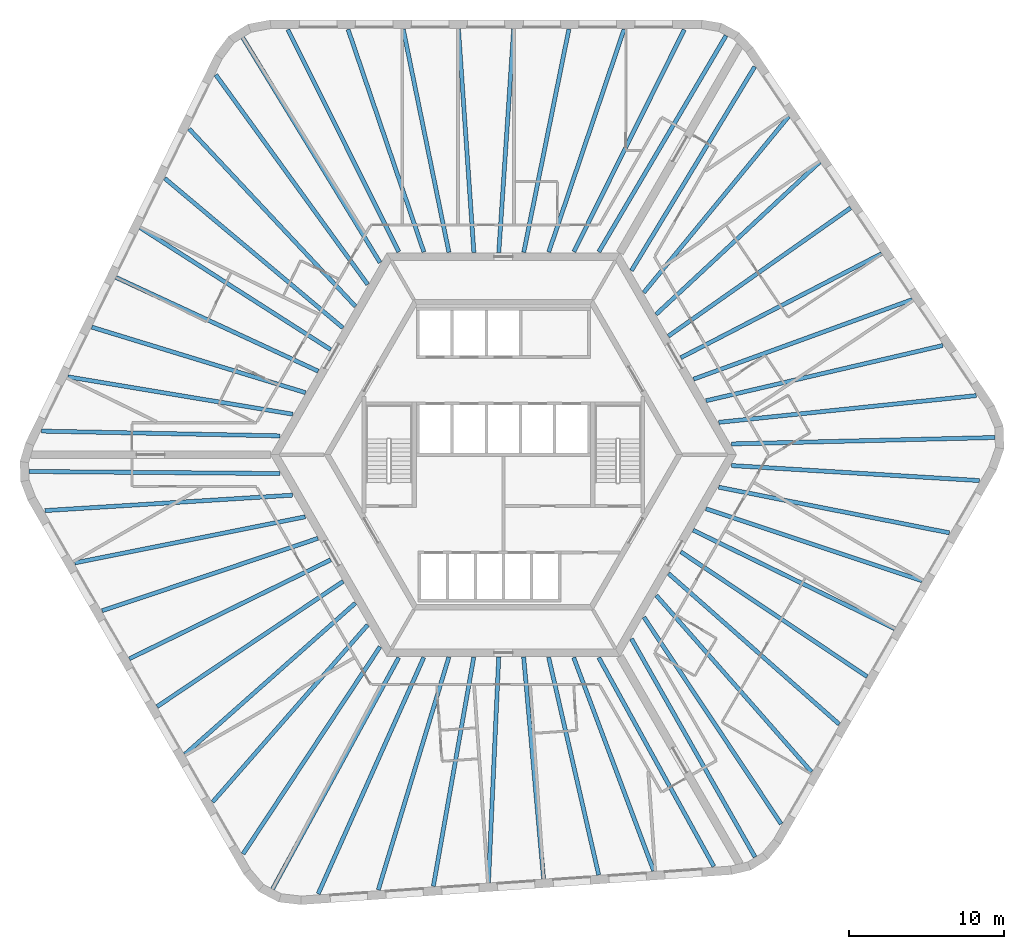
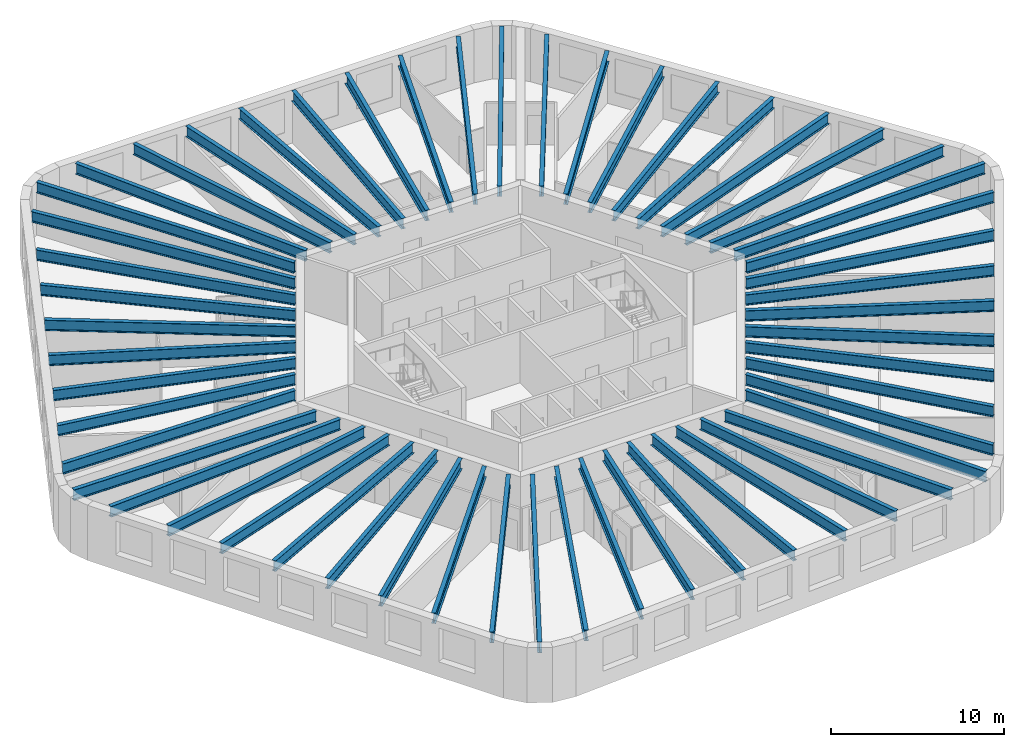
# One storey, part 1 of 9: 54 beams.
"""IFC4 building model written with IfcOpenShell, lengths in metres."""

from ifc_helpers import new_model, si_unit, direction, frame, origin, origin_2d, place, context, subcontext, project, spatial, i_section, extrude, material, material_profile, profile_set, type_object, element, save


model = new_model("IFC4")

# Units and contexts
model_context = context("Model", 3, precision=1e-05, world=origin(), true_north=direction((0.0, 1.0)))
body_context = subcontext(model_context, "Body", "Model", "MODEL_VIEW")
ifc_project = project(units=[si_unit("LENGTHUNIT", "METRE"), si_unit("AREAUNIT", "SQUARE_METRE"), si_unit("VOLUMEUNIT", "CUBIC_METRE"), si_unit("PLANEANGLEUNIT", "RADIAN"), si_unit("MASSUNIT", "GRAM", prefix="KILO")], contexts=[model_context])

# Site, building, storey
site_placement = place(None, origin())
site = spatial("IfcSite", under=ifc_project, at=site_placement, CompositionType="ELEMENT")
building_placement = place(site_placement, origin())
building = spatial("IfcBuilding", under=site, at=building_placement, Name="Tarnside Tower", CompositionType="ELEMENT")
storey_placement = place(building_placement, frame((0.0, 0.0, 222.89990234375)))
storey = spatial("IfcBuildingStorey", under=building, at=storey_placement, Name="L53", CompositionType="ELEMENT", Elevation=222.89990234375)

# Beams
ifc_material = material(Name="Steel S355", Category="steel")
ifc_material_profile_1 = material_profile(ifc_material, i_section(OverallWidth=0.26513671875, OverallDepth=0.75390625, WebThickness=0.0126953125, FlangeThickness=0.017578125, FilletRadius=0.0166015625, at=origin_2d()), Name="UB 762x267x147")
ifc_profile_set_1 = profile_set([ifc_material_profile_1], Name="Steel S355")
beam_type_1 = type_object("IfcBeamType", Name="Floor beam UB 762x267x147", PredefinedType="BEAM", material=ifc_profile_set_1)
beam_1_placement = place(storey_placement, frame((7.77001953125, 27.393310546875, 3.373046875), z_axis=(-0.320362579778, -0.947295000239, 0.0), x_axis=(0.947295000239, -0.320362579778, 0.0)))
element("IfcBeam", 1, at=beam_1_placement, inside=storey, type_object=beam_type_1, Name="Floor beam F1.02", PredefinedType="BEAM", context=body_context, shape_type="SweptSolid", body=[
    extrude(i_section(OverallWidth=0.26513671875, OverallDepth=0.75390625, WebThickness=0.0126953125, FlangeThickness=0.017578125, FilletRadius=0.0166015625, at=origin_2d()), origin(), (0.0, 0.0, 1.0), 15.134033203125),
])
beam_2_placement = place(storey_placement, frame((4.218505859375, 27.410888671875, 3.373046875), z_axis=(-0.19841777413, -0.980117537293, 0.0), x_axis=(0.980117537293, -0.19841777413, 0.0)))
element("IfcBeam", 2, at=beam_2_placement, inside=storey, type_object=beam_type_1, Name="Floor beam F1.03", PredefinedType="BEAM", context=body_context, shape_type="SweptSolid", body=[
    extrude(i_section(OverallWidth=0.26513671875, OverallDepth=0.75390625, WebThickness=0.0126953125, FlangeThickness=0.017578125, FilletRadius=0.0166015625, at=origin_2d()), origin(), (0.0, 0.0, 1.0), 14.6630859375),
])
beam_3_placement = place(storey_placement, frame((0.66259765625, 27.429931640625, 3.373046875), z_axis=(-0.066554914868, -0.997782763585, 0.0), x_axis=(0.997782763585, -0.066554914868, 0.0)))
element("IfcBeam", 3, at=beam_3_placement, inside=storey, type_object=beam_type_1, Name="Floor beam F1.04", PredefinedType="BEAM", context=body_context, shape_type="SweptSolid", body=[
    extrude(i_section(OverallWidth=0.26513671875, OverallDepth=0.75390625, WebThickness=0.0126953125, FlangeThickness=0.017578125, FilletRadius=0.0166015625, at=origin_2d()), origin(), (0.0, 0.0, 1.0), 14.44189453125),
])
beam_4_placement = place(storey_placement, frame((-2.8974609375, 27.429931640625, 3.373046875), z_axis=(0.068876921658, -0.997625164911, 0.0), x_axis=(0.997625164911, 0.068876921658, 0.0)))
element("IfcBeam", 4, at=beam_4_placement, inside=storey, type_object=beam_type_1, Name="Floor beam F1.05", PredefinedType="BEAM", context=body_context, shape_type="SweptSolid", body=[
    extrude(i_section(OverallWidth=0.26513671875, OverallDepth=0.75390625, WebThickness=0.0126953125, FlangeThickness=0.017578125, FilletRadius=0.0166015625, at=origin_2d()), origin(), (0.0, 0.0, 1.0), 14.4443359375),
])
beam_5_placement = place(storey_placement, frame((-6.45361328125, 27.410888671875, 3.373046875), z_axis=(0.200623497398, -0.979668419564, 0.0), x_axis=(0.979668419564, 0.200623497398, 0.0)))
element("IfcBeam", 5, at=beam_5_placement, inside=storey, type_object=beam_type_1, Name="Floor beam F1.06", PredefinedType="BEAM", context=body_context, shape_type="SweptSolid", body=[
    extrude(i_section(OverallWidth=0.26513671875, OverallDepth=0.75390625, WebThickness=0.0126953125, FlangeThickness=0.017578125, FilletRadius=0.0166015625, at=origin_2d()), origin(), (0.0, 0.0, 1.0), 14.669921875),
])
beam_6_placement = place(storey_placement, frame((-10.0048828125, 27.393310546875, 3.373046875), z_axis=(0.322343712034, -0.946622697442, 0.0), x_axis=(0.946622697442, 0.322343712034, 0.0)))
element("IfcBeam", 6, at=beam_6_placement, inside=storey, type_object=beam_type_1, Name="Floor beam F1.07", PredefinedType="BEAM", context=body_context, shape_type="SweptSolid", body=[
    extrude(i_section(OverallWidth=0.26513671875, OverallDepth=0.75390625, WebThickness=0.0126953125, FlangeThickness=0.017578125, FilletRadius=0.0166015625, at=origin_2d()), origin(), (0.0, 0.0, 1.0), 15.144775390625),
])
beam_7_placement = place(storey_placement, frame((-20.241455078125, 20.9892578125, 3.373046875), z_axis=(0.683752330283, -0.729714156936, 0.0), x_axis=(0.729714156936, 0.683752330283, 0.0)))
element("IfcBeam", 7, at=beam_7_placement, inside=storey, type_object=beam_type_1, Name="Floor beam F2.02", PredefinedType="BEAM", context=body_context, shape_type="SweptSolid", body=[
    extrude(i_section(OverallWidth=0.26513671875, OverallDepth=0.75390625, WebThickness=0.0126953125, FlangeThickness=0.017578125, FilletRadius=0.0166015625, at=origin_2d()), origin(), (0.0, 0.0, 1.0), 15.6591796875),
])
beam_8_placement = place(storey_placement, frame((-21.81396484375, 17.80419921875, 3.373046875), z_axis=(0.765948461073, -0.642901979294, 0.0), x_axis=(0.642901979294, 0.765948461073, 0.0)))
element("IfcBeam", 8, at=beam_8_placement, inside=storey, type_object=beam_type_1, Name="Floor beam F2.03", PredefinedType="BEAM", context=body_context, shape_type="SweptSolid", body=[
    extrude(i_section(OverallWidth=0.26513671875, OverallDepth=0.75390625, WebThickness=0.0126953125, FlangeThickness=0.017578125, FilletRadius=0.0166015625, at=origin_2d()), origin(), (0.0, 0.0, 1.0), 14.982177734375),
])
beam_9_placement = place(storey_placement, frame((-23.389892578125, 14.616455078125, 3.373046875), z_axis=(0.842378275633, -0.538886667808, 0.0), x_axis=(0.538886667808, 0.842378275633, 0.0)))
element("IfcBeam", 9, at=beam_9_placement, inside=storey, type_object=beam_type_1, Name="Floor beam F2.04", PredefinedType="BEAM", context=body_context, shape_type="SweptSolid", body=[
    extrude(i_section(OverallWidth=0.26513671875, OverallDepth=0.75390625, WebThickness=0.0126953125, FlangeThickness=0.017578125, FilletRadius=0.0166015625, at=origin_2d()), origin(), (0.0, 0.0, 1.0), 14.5595703125),
])
beam_10_placement = place(storey_placement, frame((-24.9501953125, 11.416748046875, 3.373046875), z_axis=(0.907310131748, -0.420462037321, 0.0), x_axis=(0.420462037321, 0.907310131748, 0.0)))
element("IfcBeam", 10, at=beam_10_placement, inside=storey, type_object=beam_type_1, Name="Floor beam F2.05", PredefinedType="BEAM", context=body_context, shape_type="SweptSolid", body=[
    extrude(i_section(OverallWidth=0.26513671875, OverallDepth=0.75390625, WebThickness=0.0126953125, FlangeThickness=0.017578125, FilletRadius=0.0166015625, at=origin_2d()), origin(), (0.0, 0.0, 1.0), 14.353515625),
])
beam_11_placement = place(storey_placement, frame((-26.510986328125, 8.2177734375, 3.373046875), z_axis=(0.956073348261, -0.293127536654, 0.0), x_axis=(0.293127536654, 0.956073348261, 0.0)))
element("IfcBeam", 11, at=beam_11_placement, inside=storey, type_object=beam_type_1, Name="Floor beam F2.06", PredefinedType="BEAM", context=body_context, shape_type="SweptSolid", body=[
    extrude(i_section(OverallWidth=0.26513671875, OverallDepth=0.75390625, WebThickness=0.0126953125, FlangeThickness=0.017578125, FilletRadius=0.0166015625, at=origin_2d()), origin(), (0.0, 0.0, 1.0), 14.3955078125),
])
beam_12_placement = place(storey_placement, frame((-28.0517578125, 5.015869140625, 3.373046875), z_axis=(0.986476498304, -0.163902770858, 0.0), x_axis=(0.163902770858, 0.986476498304, 0.0)))
element("IfcBeam", 12, at=beam_12_placement, inside=storey, type_object=beam_type_1, Name="Floor beam F2.07", PredefinedType="BEAM", context=body_context, shape_type="SweptSolid", body=[
    extrude(i_section(OverallWidth=0.26513671875, OverallDepth=0.75390625, WebThickness=0.0126953125, FlangeThickness=0.017578125, FilletRadius=0.0166015625, at=origin_2d()), origin(), (0.0, 0.0, 1.0), 14.680908203125),
])
beam_13_placement = place(storey_placement, frame((-29.73828125, 1.521484375, 3.373046875), z_axis=(0.999800142641, -0.019991867701, 0.0), x_axis=(0.019991867701, 0.999800142641, 0.0)))
element("IfcBeam", 13, at=beam_13_placement, inside=storey, type_object=beam_type_1, Name="Floor beam F2.08", PredefinedType="BEAM", context=body_context, shape_type="SweptSolid", body=[
    extrude(i_section(OverallWidth=0.26513671875, OverallDepth=0.75390625, WebThickness=0.0126953125, FlangeThickness=0.017578125, FilletRadius=0.0166015625, at=origin_2d()), origin(), (0.0, 0.0, 1.0), 15.3505859375),
])
beam_14_placement = place(storey_placement, frame((-27.608154296875, -6.967529296875, 3.373046875), z_axis=(0.980564540422, 0.196196794232, 0.0), x_axis=(-0.196196794232, 0.980564540422, 0.0)))
element("IfcBeam", 14, at=beam_14_placement, inside=storey, type_object=beam_type_1, Name="Floor beam F3.02", PredefinedType="BEAM", context=body_context, shape_type="SweptSolid", body=[
    extrude(i_section(OverallWidth=0.26513671875, OverallDepth=0.75390625, WebThickness=0.0126953125, FlangeThickness=0.017578125, FilletRadius=0.0166015625, at=origin_2d()), origin(), (0.0, 0.0, 1.0), 15.134033203125),
])
beam_15_placement = place(storey_placement, frame((-25.84765625, -10.052001953125, 3.373046875), z_axis=(0.948011835322, 0.31823507049, 0.0), x_axis=(-0.31823507049, 0.948011835322, 0.0)))
element("IfcBeam", 15, at=beam_15_placement, inside=storey, type_object=beam_type_1, Name="Floor beam F3.03", PredefinedType="BEAM", context=body_context, shape_type="SweptSolid", body=[
    extrude(i_section(OverallWidth=0.26513671875, OverallDepth=0.75390625, WebThickness=0.0126953125, FlangeThickness=0.017578125, FilletRadius=0.0166015625, at=origin_2d()), origin(), (0.0, 0.0, 1.0), 14.662841796875),
])
beam_16_placement = place(storey_placement, frame((-24.086181640625, -13.141357421875, 3.373046875), z_axis=(0.897375974806, 0.441266767206, 0.0), x_axis=(-0.441266767206, 0.897375974806, 0.0)))
element("IfcBeam", 16, at=beam_16_placement, inside=storey, type_object=beam_type_1, Name="Floor beam F3.04", PredefinedType="BEAM", context=body_context, shape_type="SweptSolid", body=[
    extrude(i_section(OverallWidth=0.26513671875, OverallDepth=0.75390625, WebThickness=0.0126953125, FlangeThickness=0.017578125, FilletRadius=0.0166015625, at=origin_2d()), origin(), (0.0, 0.0, 1.0), 14.442138671875),
])
beam_17_placement = place(storey_placement, frame((-22.306396484375, -16.224365234375, 3.373046875), z_axis=(0.829532486243, 0.558458462437, 0.0), x_axis=(-0.558458462437, 0.829532486243, 0.0)))
element("IfcBeam", 17, at=beam_17_placement, inside=storey, type_object=beam_type_1, Name="Floor beam F3.05", PredefinedType="BEAM", context=body_context, shape_type="SweptSolid", body=[
    extrude(i_section(OverallWidth=0.26513671875, OverallDepth=0.75390625, WebThickness=0.0126953125, FlangeThickness=0.017578125, FilletRadius=0.0166015625, at=origin_2d()), origin(), (0.0, 0.0, 1.0), 14.444580078125),
])
beam_18_placement = place(storey_placement, frame((-20.51171875, -19.294189453125, 3.373046875), z_axis=(0.74811408094, 0.663570133369, 0.0), x_axis=(-0.663570133369, 0.74811408094, 0.0)))
element("IfcBeam", 18, at=beam_18_placement, inside=storey, type_object=beam_type_1, Name="Floor beam F3.06", PredefinedType="BEAM", context=body_context, shape_type="SweptSolid", body=[
    extrude(i_section(OverallWidth=0.26513671875, OverallDepth=0.75390625, WebThickness=0.0126953125, FlangeThickness=0.017578125, FilletRadius=0.0166015625, at=origin_2d()), origin(), (0.0, 0.0, 1.0), 14.669677734375),
])
beam_19_placement = place(storey_placement, frame((-18.720703125, -22.361083984375, 3.373046875), z_axis=(0.658621010302, 0.752474826681, 0.0), x_axis=(-0.752474826681, 0.658621010302, 0.0)))
element("IfcBeam", 19, at=beam_19_placement, inside=storey, type_object=beam_type_1, Name="Floor beam F3.07", PredefinedType="BEAM", context=body_context, shape_type="SweptSolid", body=[
    extrude(i_section(OverallWidth=0.26513671875, OverallDepth=0.75390625, WebThickness=0.0126953125, FlangeThickness=0.017578125, FilletRadius=0.0166015625, at=origin_2d()), origin(), (0.0, 0.0, 1.0), 15.144775390625),
])
beam_20_placement = place(storey_placement, frame((-8.056396484375, -28.024169921875, 3.373046875), z_axis=(0.290070138838, 0.957005388989, 0.0), x_axis=(-0.957005388989, 0.290070138838, 0.0)))
element("IfcBeam", 20, at=beam_20_placement, inside=storey, type_object=beam_type_1, Name="Floor beam F4.02", PredefinedType="BEAM", context=body_context, shape_type="SweptSolid", body=[
    extrude(i_section(OverallWidth=0.26513671875, OverallDepth=0.75390625, WebThickness=0.0126953125, FlangeThickness=0.017578125, FilletRadius=0.0166015625, at=origin_2d()), origin(), (0.0, 0.0, 1.0), 15.6591796875),
])
beam_21_placement = place(storey_placement, frame((-4.511962890625, -27.793701171875, 3.373046875), z_axis=(0.173788122681, 0.984783066678, 0.0), x_axis=(-0.984783066678, 0.173788122681, 0.0)))
element("IfcBeam", 21, at=beam_21_placement, inside=storey, type_object=beam_type_1, Name="Floor beam F4.03", PredefinedType="BEAM", context=body_context, shape_type="SweptSolid", body=[
    extrude(i_section(OverallWidth=0.26513671875, OverallDepth=0.75390625, WebThickness=0.0126953125, FlangeThickness=0.017578125, FilletRadius=0.0166015625, at=origin_2d()), origin(), (0.0, 0.0, 1.0), 14.982421875),
])
beam_22_placement = place(storey_placement, frame((-0.96337890625, -27.564453125, 3.373046875), z_axis=(0.045509585226, 0.998963902077, 0.0), x_axis=(-0.998963902077, 0.045509585226, 0.0)))
element("IfcBeam", 22, at=beam_22_placement, inside=storey, type_object=beam_type_1, Name="Floor beam F4.04", PredefinedType="BEAM", context=body_context, shape_type="SweptSolid", body=[
    extrude(i_section(OverallWidth=0.26513671875, OverallDepth=0.75390625, WebThickness=0.0126953125, FlangeThickness=0.017578125, FilletRadius=0.0166015625, at=origin_2d()), origin(), (0.0, 0.0, 1.0), 14.5595703125),
])
beam_23_placement = place(storey_placement, frame((2.587890625, -27.31591796875, 3.373046875), z_axis=(-0.089518916897, 0.995985122137, 0.0), x_axis=(-0.995985122137, -0.089518916897, 0.0)))
element("IfcBeam", 23, at=beam_23_placement, inside=storey, type_object=beam_type_1, Name="Floor beam F4.05", PredefinedType="BEAM", context=body_context, shape_type="SweptSolid", body=[
    extrude(i_section(OverallWidth=0.26513671875, OverallDepth=0.75390625, WebThickness=0.0126953125, FlangeThickness=0.017578125, FilletRadius=0.0166015625, at=origin_2d()), origin(), (0.0, 0.0, 1.0), 14.353515625),
])
beam_24_placement = place(storey_placement, frame((6.138671875, -27.068115234375, 3.373046875), z_axis=(-0.224188122435, 0.974545886944, 0.0), x_axis=(-0.974545886944, -0.224188122435, 0.0)))
element("IfcBeam", 24, at=beam_24_placement, inside=storey, type_object=beam_type_1, Name="Floor beam F4.06", PredefinedType="BEAM", context=body_context, shape_type="SweptSolid", body=[
    extrude(i_section(OverallWidth=0.26513671875, OverallDepth=0.75390625, WebThickness=0.0126953125, FlangeThickness=0.017578125, FilletRadius=0.0166015625, at=origin_2d()), origin(), (0.0, 0.0, 1.0), 14.3955078125),
])
beam_25_placement = place(storey_placement, frame((9.681884765625, -26.801513671875, 3.373046875), z_axis=(-0.351271055087, 0.936273809234, 0.0), x_axis=(-0.936273809234, -0.351271055087, 0.0)))
element("IfcBeam", 25, at=beam_25_placement, inside=storey, type_object=beam_type_1, Name="Floor beam F4.07", PredefinedType="BEAM", context=body_context, shape_type="SweptSolid", body=[
    extrude(i_section(OverallWidth=0.26513671875, OverallDepth=0.75390625, WebThickness=0.0126953125, FlangeThickness=0.017578125, FilletRadius=0.0166015625, at=origin_2d()), origin(), (0.0, 0.0, 1.0), 14.680908203125),
])
beam_26_placement = place(storey_placement, frame((13.551513671875, -26.514892578125, 3.373046875), z_axis=(-0.482584088089, 0.875849643445, 0.0), x_axis=(-0.875849643445, -0.482584088089, 0.0)))
element("IfcBeam", 26, at=beam_26_placement, inside=storey, type_object=beam_type_1, Name="Floor beam F4.08", PredefinedType="BEAM", context=body_context, shape_type="SweptSolid", body=[
    extrude(i_section(OverallWidth=0.26513671875, OverallDepth=0.75390625, WebThickness=0.0126953125, FlangeThickness=0.017578125, FilletRadius=0.0166015625, at=origin_2d()), origin(), (0.0, 0.0, 1.0), 15.3505859375),
])
beam_27_placement = place(storey_placement, frame((19.838134765625, -20.425537109375, 3.373046875), z_axis=(-0.660201214512, 0.751088780609, 0.0), x_axis=(-0.751088780609, -0.660201214512, 0.0)))
element("IfcBeam", 27, at=beam_27_placement, inside=storey, type_object=beam_type_1, Name="Floor beam F5.02", PredefinedType="BEAM", context=body_context, shape_type="SweptSolid", body=[
    extrude(i_section(OverallWidth=0.26513671875, OverallDepth=0.75390625, WebThickness=0.0126953125, FlangeThickness=0.017578125, FilletRadius=0.0166015625, at=origin_2d()), origin(), (0.0, 0.0, 1.0), 15.134033203125),
])
beam_28_placement = place(storey_placement, frame((21.629150390625, -17.358642578125, 3.373046875), z_axis=(-0.749601662028, 0.661889226597, 0.0), x_axis=(-0.661889226597, -0.749601662028, 0.0)))
element("IfcBeam", 28, at=beam_28_placement, inside=storey, type_object=beam_type_1, Name="Floor beam F5.03", PredefinedType="BEAM", context=body_context, shape_type="SweptSolid", body=[
    extrude(i_section(OverallWidth=0.26513671875, OverallDepth=0.75390625, WebThickness=0.0126953125, FlangeThickness=0.017578125, FilletRadius=0.0166015625, at=origin_2d()), origin(), (0.0, 0.0, 1.0), 14.6630859375),
])
beam_29_placement = place(storey_placement, frame((23.423828125, -14.288818359375, 3.373046875), z_axis=(-0.830825943553, 0.556532345439, 0.0), x_axis=(-0.556532345439, -0.830825943553, 0.0)))
element("IfcBeam", 29, at=beam_29_placement, inside=storey, type_object=beam_type_1, Name="Floor beam F5.04", PredefinedType="BEAM", context=body_context, shape_type="SweptSolid", body=[
    extrude(i_section(OverallWidth=0.26513671875, OverallDepth=0.75390625, WebThickness=0.0126953125, FlangeThickness=0.017578125, FilletRadius=0.0166015625, at=origin_2d()), origin(), (0.0, 0.0, 1.0), 14.4423828125),
])
beam_30_placement = place(storey_placement, frame((25.203857421875, -11.205810546875, 3.373046875), z_axis=(-0.898407034897, 0.43916375038, 0.0), x_axis=(-0.43916375038, -0.898407034897, 0.0)))
element("IfcBeam", 30, at=beam_30_placement, inside=storey, type_object=beam_type_1, Name="Floor beam F5.05", PredefinedType="BEAM", context=body_context, shape_type="SweptSolid", body=[
    extrude(i_section(OverallWidth=0.26513671875, OverallDepth=0.75390625, WebThickness=0.0126953125, FlangeThickness=0.017578125, FilletRadius=0.0166015625, at=origin_2d()), origin(), (0.0, 0.0, 1.0), 14.444580078125),
])
beam_31_placement = place(storey_placement, frame((26.965087890625, -8.116455078125, 3.373046875), z_axis=(-0.948728223501, 0.31609295774, 0.0), x_axis=(-0.31609295774, -0.948728223501, 0.0)))
element("IfcBeam", 31, at=beam_31_placement, inside=storey, type_object=beam_type_1, Name="Floor beam F5.06", PredefinedType="BEAM", context=body_context, shape_type="SweptSolid", body=[
    extrude(i_section(OverallWidth=0.26513671875, OverallDepth=0.75390625, WebThickness=0.0126953125, FlangeThickness=0.017578125, FilletRadius=0.0166015625, at=origin_2d()), origin(), (0.0, 0.0, 1.0), 14.669677734375),
])
beam_32_placement = place(storey_placement, frame((28.7255859375, -5.031982421875, 3.373046875), z_axis=(-0.980974250646, 0.194137888034, 0.0), x_axis=(-0.194137888034, -0.980974250646, 0.0)))
element("IfcBeam", 32, at=beam_32_placement, inside=storey, type_object=beam_type_1, Name="Floor beam F5.07", PredefinedType="BEAM", context=body_context, shape_type="SweptSolid", body=[
    extrude(i_section(OverallWidth=0.26513671875, OverallDepth=0.75390625, WebThickness=0.0126953125, FlangeThickness=0.017578125, FilletRadius=0.0166015625, at=origin_2d()), origin(), (0.0, 0.0, 1.0), 15.144775390625),
])
beam_33_placement = place(storey_placement, frame((28.2978515625, 7.034912109375, 3.373046875), z_axis=(-0.973828212928, -0.227285309042, 0.0), x_axis=(0.227285309042, -0.973828212928, 0.0)))
element("IfcBeam", 33, at=beam_33_placement, inside=storey, type_object=beam_type_1, Name="Floor beam F6.02", PredefinedType="BEAM", context=body_context, shape_type="SweptSolid", body=[
    extrude(i_section(OverallWidth=0.26513671875, OverallDepth=0.75390625, WebThickness=0.0126953125, FlangeThickness=0.017578125, FilletRadius=0.0166015625, at=origin_2d()), origin(), (0.0, 0.0, 1.0), 15.6591796875),
])
beam_34_placement = place(storey_placement, frame((26.325927734375, 9.989501953125, 3.373046875), z_axis=(-0.939738697004, -0.341893523415, 0.0), x_axis=(0.341893523415, -0.939738697004, 0.0)))
element("IfcBeam", 34, at=beam_34_placement, inside=storey, type_object=beam_type_1, Name="Floor beam F6.03", PredefinedType="BEAM", context=body_context, shape_type="SweptSolid", body=[
    extrude(i_section(OverallWidth=0.26513671875, OverallDepth=0.75390625, WebThickness=0.0126953125, FlangeThickness=0.017578125, FilletRadius=0.0166015625, at=origin_2d()), origin(), (0.0, 0.0, 1.0), 14.982177734375),
])
beam_35_placement = place(storey_placement, frame((24.353271484375, 12.947998046875, 3.373046875), z_axis=(-0.887881646639, -0.460071930856, 0.0), x_axis=(0.460071930856, -0.887881646639, 0.0)))
element("IfcBeam", 35, at=beam_35_placement, inside=storey, type_object=beam_type_1, Name="Floor beam F6.04", PredefinedType="BEAM", context=body_context, shape_type="SweptSolid", body=[
    extrude(i_section(OverallWidth=0.26513671875, OverallDepth=0.75390625, WebThickness=0.0126953125, FlangeThickness=0.017578125, FilletRadius=0.0166015625, at=origin_2d()), origin(), (0.0, 0.0, 1.0), 14.5595703125),
])
beam_36_placement = place(storey_placement, frame((22.3623046875, 15.899169921875, 3.373046875), z_axis=(-0.817791001708, -0.575515314762, 0.0), x_axis=(0.575515314762, -0.817791001708, 0.0)))
element("IfcBeam", 36, at=beam_36_placement, inside=storey, type_object=beam_type_1, Name="Floor beam F6.05", PredefinedType="BEAM", context=body_context, shape_type="SweptSolid", body=[
    extrude(i_section(OverallWidth=0.26513671875, OverallDepth=0.75390625, WebThickness=0.0126953125, FlangeThickness=0.017578125, FilletRadius=0.0166015625, at=origin_2d()), origin(), (0.0, 0.0, 1.0), 14.353759765625),
])
beam_37_placement = place(storey_placement, frame((20.372314453125, 18.850341796875, 3.373046875), z_axis=(-0.731892224456, -0.681420407517, 0.0), x_axis=(0.681420407517, -0.731892224456, 0.0)))
element("IfcBeam", 37, at=beam_37_placement, inside=storey, type_object=beam_type_1, Name="Floor beam F6.06", PredefinedType="BEAM", context=body_context, shape_type="SweptSolid", body=[
    extrude(i_section(OverallWidth=0.26513671875, OverallDepth=0.75390625, WebThickness=0.0126953125, FlangeThickness=0.017578125, FilletRadius=0.0166015625, at=origin_2d()), origin(), (0.0, 0.0, 1.0), 14.3955078125),
])
beam_38_placement = place(storey_placement, frame((18.369873046875, 21.78564453125, 3.373046875), z_axis=(-0.635191827457, -0.772354414975, 0.0), x_axis=(0.772354414975, -0.635191827457, 0.0)))
element("IfcBeam", 38, at=beam_38_placement, inside=storey, type_object=beam_type_1, Name="Floor beam F6.07", PredefinedType="BEAM", context=body_context, shape_type="SweptSolid", body=[
    extrude(i_section(OverallWidth=0.26513671875, OverallDepth=0.75390625, WebThickness=0.0126953125, FlangeThickness=0.017578125, FilletRadius=0.0166015625, at=origin_2d()), origin(), (0.0, 0.0, 1.0), 14.680908203125),
])
beam_39_placement = place(storey_placement, frame((16.186767578125, 24.993408203125, 3.373046875), z_axis=(-0.517208605106, -0.855859368591, 0.0), x_axis=(0.855859368591, -0.517208605106, 0.0)))
element("IfcBeam", 39, at=beam_39_placement, inside=storey, type_object=beam_type_1, Name="Floor beam F6.08", PredefinedType="BEAM", context=body_context, shape_type="SweptSolid", body=[
    extrude(i_section(OverallWidth=0.26513671875, OverallDepth=0.75390625, WebThickness=0.0126953125, FlangeThickness=0.017578125, FilletRadius=0.0166015625, at=origin_2d()), origin(), (0.0, 0.0, 1.0), 15.3505859375),
])
ifc_material_profile_2 = material_profile(ifc_material, i_section(OverallWidth=0.2666015625, OverallDepth=0.76220703125, WebThickness=0.014404296875, FlangeThickness=0.021484375, FilletRadius=0.0166015625, at=origin_2d()), Name="UB 762x267x173")
ifc_profile_set_2 = profile_set([ifc_material_profile_2], Name="Steel S355")
beam_type_2 = type_object("IfcBeamType", Name="Floor beam UB 762x267x173", PredefinedType="BEAM", material=ifc_profile_set_2)
beam_40_placement = place(storey_placement, frame((11.6494140625, 27.37841796875, 3.368896484375), z_axis=(-0.445042310328, -0.895509543231, 0.0), x_axis=(0.895509543231, -0.445042310328, 0.0)))
element("IfcBeam", 40, at=beam_40_placement, inside=storey, type_object=beam_type_2, Name="Floor beam F1.01", PredefinedType="BEAM", context=body_context, shape_type="SweptSolid", body=[
    extrude(i_section(OverallWidth=0.2666015625, OverallDepth=0.76220703125, WebThickness=0.014404296875, FlangeThickness=0.021484375, FilletRadius=0.0166015625, at=origin_2d()), origin(), (0.0, 0.0, 1.0), 15.976318359375),
])
beam_41_placement = place(storey_placement, frame((-13.884521484375, 27.37841796875, 3.368896484375), z_axis=(0.44673108957, -0.894668281326, 0.0), x_axis=(0.894668281326, 0.44673108957, 0.0)))
element("IfcBeam", 41, at=beam_41_placement, inside=storey, type_object=beam_type_2, Name="Floor beam F1.08", PredefinedType="BEAM", context=body_context, shape_type="SweptSolid", body=[
    extrude(i_section(OverallWidth=0.2666015625, OverallDepth=0.76220703125, WebThickness=0.014404296875, FlangeThickness=0.021484375, FilletRadius=0.0166015625, at=origin_2d()), origin(), (0.0, 0.0, 1.0), 15.9912109375),
])
beam_42_placement = place(storey_placement, frame((-16.79345703125, 26.86962890625, 3.368896484375), z_axis=(0.520940467881, -0.853593011291, 0.0), x_axis=(0.853593011291, 0.520940467881, 0.0)))
element("IfcBeam", 42, at=beam_42_placement, inside=storey, type_object=beam_type_2, Name="Floor beam C1", PredefinedType="BEAM", context=body_context, shape_type="SweptSolid", body=[
    extrude(i_section(OverallWidth=0.2666015625, OverallDepth=0.76220703125, WebThickness=0.014404296875, FlangeThickness=0.021484375, FilletRadius=0.0166015625, at=origin_2d()), origin(), (0.0, 0.0, 1.0), 16.980712890625),
])
beam_43_placement = place(storey_placement, frame((-18.52685546875, 24.471435546875, 3.368896484375), z_axis=(0.586791943415, -0.80973774467, 0.0), x_axis=(0.80973774467, 0.586791943415, 0.0)))
element("IfcBeam", 43, at=beam_43_placement, inside=storey, type_object=beam_type_2, Name="Floor beam F2.01", PredefinedType="BEAM", context=body_context, shape_type="SweptSolid", body=[
    extrude(i_section(OverallWidth=0.2666015625, OverallDepth=0.76220703125, WebThickness=0.014404296875, FlangeThickness=0.021484375, FilletRadius=0.0166015625, at=origin_2d()), origin(), (0.0, 0.0, 1.0), 16.67578125),
])
beam_44_placement = place(storey_placement, frame((-30.543212890625, -1.079345703125, 3.368896484375), z_axis=(0.999966072652, -0.008237326324, 0.0), x_axis=(0.008237326324, 0.999966072652, 0.0)))
element("IfcBeam", 44, at=beam_44_placement, inside=storey, type_object=beam_type_2, Name="Floor beam C2", PredefinedType="BEAM", context=body_context, shape_type="SweptSolid", body=[
    extrude(i_section(OverallWidth=0.2666015625, OverallDepth=0.76220703125, WebThickness=0.014404296875, FlangeThickness=0.021484375, FilletRadius=0.0166015625, at=origin_2d()), origin(), (0.0, 0.0, 1.0), 16.15283203125),
])
beam_45_placement = place(storey_placement, frame((-29.534912109375, -3.6005859375, 3.368896484375), z_axis=(0.99805531279, 0.062334521832, 0.0), x_axis=(-0.062334521832, 0.99805531279, 0.0)))
element("IfcBeam", 45, at=beam_45_placement, inside=storey, type_object=beam_type_2, Name="Floor beam F3.01", PredefinedType="BEAM", context=body_context, shape_type="SweptSolid", body=[
    extrude(i_section(OverallWidth=0.2666015625, OverallDepth=0.76220703125, WebThickness=0.014404296875, FlangeThickness=0.021484375, FilletRadius=0.0166015625, at=origin_2d()), origin(), (0.0, 0.0, 1.0), 15.975830078125),
])
beam_46_placement = place(storey_placement, frame((-16.768310546875, -25.71337890625, 3.368896484375), z_axis=(0.551447600123, 0.834209532623, 0.0), x_axis=(-0.834209532623, 0.551447600123, 0.0)))
element("IfcBeam", 46, at=beam_46_placement, inside=storey, type_object=beam_type_2, Name="Floor beam F3.08", PredefinedType="BEAM", context=body_context, shape_type="SweptSolid", body=[
    extrude(i_section(OverallWidth=0.2666015625, OverallDepth=0.76220703125, WebThickness=0.014404296875, FlangeThickness=0.021484375, FilletRadius=0.0166015625, at=origin_2d()), origin(), (0.0, 0.0, 1.0), 15.9912109375),
])
beam_47_placement = place(storey_placement, frame((-14.873046875, -27.978515625, 3.368896484375), z_axis=(0.478767512404, 0.877941723047, 0.0), x_axis=(-0.877941723047, 0.478767512404, 0.0)))
element("IfcBeam", 47, at=beam_47_placement, inside=storey, type_object=beam_type_2, Name="Floor beam C3", PredefinedType="BEAM", context=body_context, shape_type="SweptSolid", body=[
    extrude(i_section(OverallWidth=0.2666015625, OverallDepth=0.76220703125, WebThickness=0.014404296875, FlangeThickness=0.021484375, FilletRadius=0.0166015625, at=origin_2d()), origin(), (0.0, 0.0, 1.0), 16.98095703125),
])
beam_48_placement = place(storey_placement, frame((-11.929443359375, -28.280517578125, 3.368896484375), z_axis=(0.407852035629, 0.913048036542, 0.0), x_axis=(-0.913048036542, 0.407852035629, 0.0)))
element("IfcBeam", 48, at=beam_48_placement, inside=storey, type_object=beam_type_2, Name="Floor beam F4.01", PredefinedType="BEAM", context=body_context, shape_type="SweptSolid", body=[
    extrude(i_section(OverallWidth=0.2666015625, OverallDepth=0.76220703125, WebThickness=0.014404296875, FlangeThickness=0.021484375, FilletRadius=0.0166015625, at=origin_2d()), origin(), (0.0, 0.0, 1.0), 16.67578125),
])
beam_49_placement = place(storey_placement, frame((16.206298828125, -25.91162109375, 3.368896484375), z_axis=(-0.492847437034, 0.870115741616, 0.0), x_axis=(-0.870115741616, -0.492847437034, 0.0)))
element("IfcBeam", 49, at=beam_49_placement, inside=storey, type_object=beam_type_2, Name="Floor beam C4", PredefinedType="BEAM", context=body_context, shape_type="SweptSolid", body=[
    extrude(i_section(OverallWidth=0.2666015625, OverallDepth=0.76220703125, WebThickness=0.014404296875, FlangeThickness=0.021484375, FilletRadius=0.0166015625, at=origin_2d()), origin(), (0.0, 0.0, 1.0), 16.15283203125),
])
beam_50_placement = place(storey_placement, frame((17.8857421875, -23.77783203125, 3.368896484375), z_axis=(-0.553013371197, 0.833172377889, 0.0), x_axis=(-0.833172377889, -0.553013371197, 0.0)))
element("IfcBeam", 50, at=beam_50_placement, inside=storey, type_object=beam_type_2, Name="Floor beam F5.01", PredefinedType="BEAM", context=body_context, shape_type="SweptSolid", body=[
    extrude(i_section(OverallWidth=0.2666015625, OverallDepth=0.76220703125, WebThickness=0.014404296875, FlangeThickness=0.021484375, FilletRadius=0.0166015625, at=origin_2d()), origin(), (0.0, 0.0, 1.0), 15.97607421875),
])
beam_51_placement = place(storey_placement, frame((30.652587890625, -1.6650390625, 3.368896484375), z_axis=(-0.998170730858, 0.060458184371, 0.0), x_axis=(-0.060458184371, -0.998170730858, 0.0)))
element("IfcBeam", 51, at=beam_51_placement, inside=storey, type_object=beam_type_2, Name="Floor beam F5.08", PredefinedType="BEAM", context=body_context, shape_type="SweptSolid", body=[
    extrude(i_section(OverallWidth=0.2666015625, OverallDepth=0.76220703125, WebThickness=0.014404296875, FlangeThickness=0.021484375, FilletRadius=0.0166015625, at=origin_2d()), origin(), (0.0, 0.0, 1.0), 15.9912109375),
])
beam_52_placement = place(storey_placement, frame((31.66650390625, 1.108642578125, 3.368896484375), z_axis=(-0.999703706976, -0.024341287118, 0.0), x_axis=(0.024341287118, -0.999703706976, 0.0)))
element("IfcBeam", 52, at=beam_52_placement, inside=storey, type_object=beam_type_2, Name="Floor beam C5", PredefinedType="BEAM", context=body_context, shape_type="SweptSolid", body=[
    extrude(i_section(OverallWidth=0.2666015625, OverallDepth=0.76220703125, WebThickness=0.014404296875, FlangeThickness=0.021484375, FilletRadius=0.0166015625, at=origin_2d()), origin(), (0.0, 0.0, 1.0), 16.980712890625),
])
beam_53_placement = place(storey_placement, frame((30.456298828125, 3.80908203125, 3.368896484375), z_axis=(-0.994648352349, -0.103318222829, 0.0), x_axis=(0.103318222829, -0.994648352349, 0.0)))
element("IfcBeam", 53, at=beam_53_placement, inside=storey, type_object=beam_type_2, Name="Floor beam F6.01", PredefinedType="BEAM", context=body_context, shape_type="SweptSolid", body=[
    extrude(i_section(OverallWidth=0.2666015625, OverallDepth=0.76220703125, WebThickness=0.014404296875, FlangeThickness=0.021484375, FilletRadius=0.0166015625, at=origin_2d()), origin(), (0.0, 0.0, 1.0), 16.67578125),
])
beam_54_placement = place(storey_placement, frame((14.3369140625, 26.990966796875, 3.368896484375), z_axis=(-0.507115238706, -0.861878259775, 0.0), x_axis=(0.861878259775, -0.507115238706, 0.0)))
element("IfcBeam", 54, at=beam_54_placement, inside=storey, type_object=beam_type_2, Name="Floor beam C6", PredefinedType="BEAM", context=body_context, shape_type="SweptSolid", body=[
    extrude(i_section(OverallWidth=0.2666015625, OverallDepth=0.76220703125, WebThickness=0.014404296875, FlangeThickness=0.021484375, FilletRadius=0.0166015625, at=origin_2d()), origin(), (0.0, 0.0, 1.0), 16.15283203125),
])

save(model, "model.ifc")
